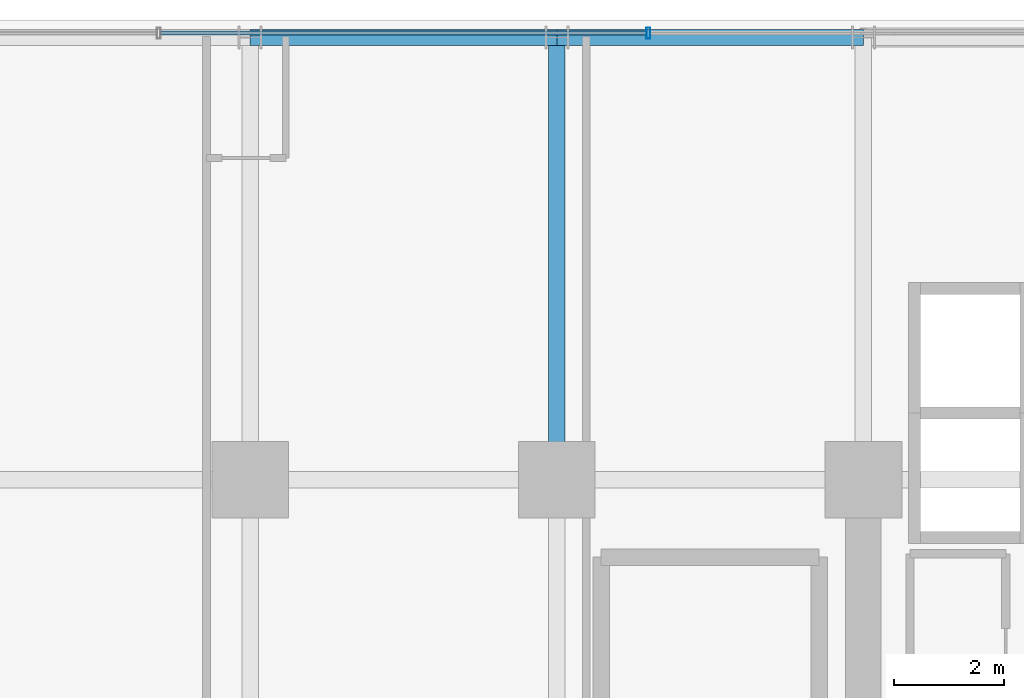
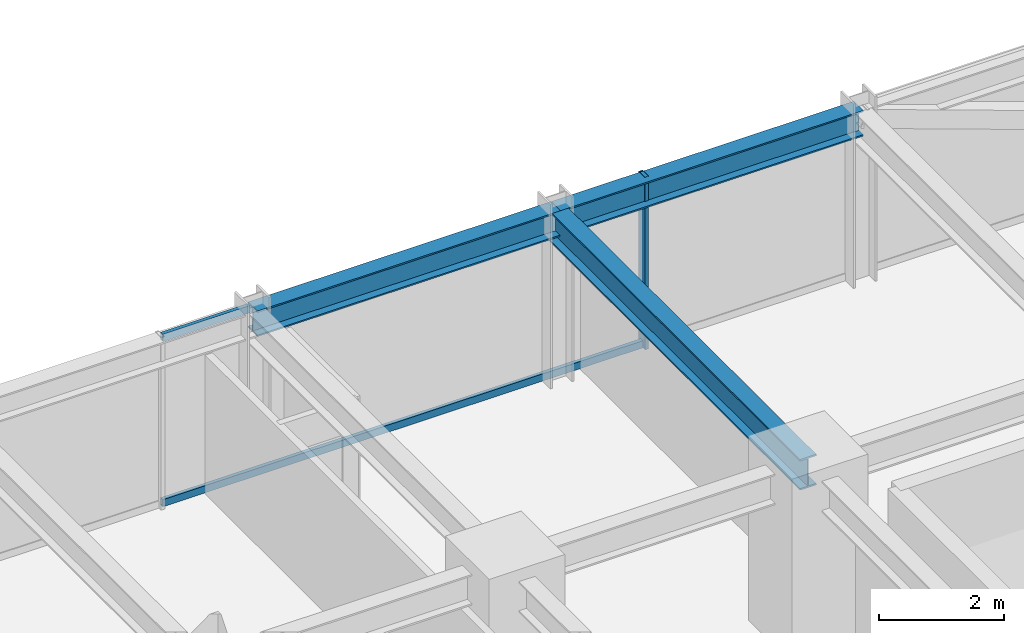
# One storey, part 27 of 43: 3 beams, 3 members, 1 element without a shape of its own.
"""IFC4 building model written with IfcOpenShell, lengths in metres."""

from ifc_helpers import new_model, si_unit, direction, frame, origin, origin_2d, place, context, subcontext, project, spatial, hollow_rectangle, i_section, extrude, source, transform, mapped, material, material_profile, profile_set, type_object, element, aggregate, save


model = new_model("IFC4")

# Units and contexts
model_context = context("Model", 3, precision=1e-05, world=origin(), true_north=direction((0.0, 1.0)))
body_context = subcontext(model_context, "Body", "Model", "MODEL_VIEW")
ifc_project = project(units=[si_unit("LENGTHUNIT", "METRE"), si_unit("AREAUNIT", "SQUARE_METRE"), si_unit("VOLUMEUNIT", "CUBIC_METRE"), si_unit("PLANEANGLEUNIT", "RADIAN"), si_unit("MASSUNIT", "GRAM", prefix="KILO")], contexts=[model_context])

# Site, building, storey
site_placement = place(None, origin())
site = spatial("IfcSite", under=ifc_project, at=site_placement, CompositionType="ELEMENT")
building_placement = place(site_placement, origin())
building = spatial("IfcBuilding", under=site, at=building_placement, Name="Nahalor Promenade Grand Hotel", CompositionType="ELEMENT")
storey_placement = place(building_placement, frame((0.0, 0.0, 57.949951171875)))
storey = spatial("IfcBuildingStorey", under=building, at=storey_placement, Name="L13", CompositionType="ELEMENT", Elevation=57.949951171875)

# Beams
ifc_material_1 = material(Name="Steel S355JR", Category="steel")
ifc_material_profile_1 = material_profile(ifc_material_1, i_section(OverallWidth=0.3, OverallDepth=0.5, WebThickness=0.0145, FlangeThickness=0.028, at=origin_2d()), Name="HEB 500")
ifc_profile_set_1 = profile_set([ifc_material_profile_1], Name="Steel S355JR")
beam_type_1 = type_object("IfcBeamType", Name="Beam-Spandrel-HEB500", PredefinedType="SPANDREL", material=ifc_profile_set_1)
shared_shape_1 = source(origin(), body_context, "Body", "SweptSolid", [
    extrude(i_section(OverallWidth=0.3, OverallDepth=0.5, WebThickness=0.0145, FlangeThickness=0.028, at=origin_2d()), origin(), (0.0, 0.0, 1.0), 5.599853515625),
])
beam_1_placement = place(storey_placement, frame((2.800048828125, 25.080078125, 3.1201171875), z_axis=(1.0, 0.0, 0.0), x_axis=(0.0, 1.0, 0.0)))
element("IfcBeam", 1, at=beam_1_placement, inside=storey, type_object=beam_type_1, Name="BM-L13-SP-N-3", PredefinedType="SPANDREL", context=body_context, shape_type="MappedRepresentation", body=[
    mapped(shared_shape_1, transform((0.0, 0.0, 0.0), scale=1.0)),
])
shared_shape_2 = source(origin(), body_context, "Body", "SweptSolid", [
    extrude(i_section(OverallWidth=0.3, OverallDepth=0.5, WebThickness=0.0145, FlangeThickness=0.028, at=origin_2d()), origin(), (0.0, 0.0, 1.0), 5.60009765625),
])
beam_2_placement = place(storey_placement, frame((-2.800048828125, 25.080078125, 3.1201171875), z_axis=(1.0, 0.0, 0.0), x_axis=(0.0, 1.0, 0.0)))
element("IfcBeam", 2, at=beam_2_placement, inside=storey, type_object=beam_type_1, Name="BM-L13-SP-N-2", PredefinedType="SPANDREL", context=body_context, shape_type="MappedRepresentation", body=[
    mapped(shared_shape_2, transform((0.0, 0.0, 0.0), scale=1.0)),
])
ifc_material_profile_2 = material_profile(ifc_material_1, i_section(OverallWidth=0.3, OverallDepth=0.6, WebThickness=0.0155, FlangeThickness=0.03, at=origin_2d()), Name="HEB 600")
ifc_profile_set_2 = profile_set([ifc_material_profile_2], Name="Steel S355JR")
beam_type_2 = type_object("IfcBeamType", Name="Beam-Girder-HEB600", PredefinedType="BEAM", material=ifc_profile_set_2)
shared_shape_3 = source(origin(), body_context, "Body", "SweptSolid", [
    extrude(i_section(OverallWidth=0.3, OverallDepth=0.6, WebThickness=0.0155, FlangeThickness=0.03, at=origin_2d()), origin(), (0.0, 0.0, 1.0), 8.080078125),
])
beam_3_placement = place(storey_placement, frame((2.800048828125, 17.0, 3.070068359375), z_axis=(0.0, 1.0, 0.0), x_axis=(-1.0, 0.0, 0.0)))
element("IfcBeam", 3, at=beam_3_placement, inside=storey, type_object=beam_type_2, Name="BM-L13-GY-3-4", PredefinedType="BEAM", context=body_context, shape_type="MappedRepresentation", body=[
    mapped(shared_shape_3, transform((0.0, 0.0, 0.0), scale=1.0)),
])

# Curtain wall, members
ifc_material_2 = material(Name="Anodised Bronze Aluminium EN AW-6063 T6", Category="aluminium")
curtain_wall_type = type_object("IfcCurtainWallType", Name="CW3 Elliptical-Void Collar Unitised Curtain Wall", PredefinedType="USERDEFINED", material=ifc_material_2)
curtain_wall_placement = place(storey_placement, origin())
curtain_wall = element("IfcCurtainWall", 4, at=curtain_wall_placement, inside=storey, type_object=curtain_wall_type, Name="L13 Curtain Wall CW-L13-N-1", ObjectType="UNITISED_CURTAIN_WALL", PredefinedType="USERDEFINED")
ifc_material_profile_3 = material_profile(ifc_material_2, hollow_rectangle(XDim=0.07, YDim=0.14, WallThickness=0.004, at=origin_2d()), Name="CWT 70x140x4")
ifc_profile_set_3 = profile_set([ifc_material_profile_3], Name="Anodised Bronze Aluminium EN AW-6063 T6")
member_type_1 = type_object("IfcMemberType", Name="CWT3 Void Collar Transom 70x140", PredefinedType="USERDEFINED", material=ifc_profile_set_3)
shared_shape_4 = source(origin(), body_context, "Body", "SweptSolid", [
    extrude(hollow_rectangle(XDim=0.07, YDim=0.14, WallThickness=0.004, at=origin_2d()), origin(), (0.0, 0.0, 1.0), 8.8740234375),
])
member_1_placement = place(storey_placement, frame((-4.43701171875, 25.159912109375, 0.070068359375), z_axis=(1.0, 0.0, 0.0), x_axis=(0.0, 1.0, 0.0)))
member_1 = element("IfcMember", 5, at=member_1_placement, type_object=member_type_1, Name="CW-L13-N-1 Transom 2-0", ObjectType="TRANSOM", PredefinedType="USERDEFINED", context=body_context, shape_type="MappedRepresentation", body=[
    mapped(shared_shape_4, transform((0.0, 0.0, 0.0), scale=1.0)),
])
member_2_placement = place(storey_placement, frame((-4.43701171875, 25.159912109375, 3.300048828125), z_axis=(1.0, 0.0, 0.0), x_axis=(0.0, 1.0, 0.0)))
member_2 = element("IfcMember", 6, at=member_2_placement, type_object=member_type_1, Name="CW-L13-N-1 Transom 2-1", ObjectType="TRANSOM", PredefinedType="USERDEFINED", context=body_context, shape_type="MappedRepresentation", body=[
    mapped(shared_shape_4, transform((0.0, 0.0, 0.0), scale=1.0)),
])
ifc_material_profile_4 = material_profile(ifc_material_2, hollow_rectangle(XDim=0.07, YDim=0.2, WallThickness=0.005, at=origin_2d()), Name="CWM 70x200x5")
ifc_profile_set_4 = profile_set([ifc_material_profile_4], Name="Anodised Bronze Aluminium EN AW-6063 T6")
member_type_2 = type_object("IfcMemberType", Name="CWM3 Void Collar Mullion 70x200", PredefinedType="MULLION", material=ifc_profile_set_4)
shared_shape_5 = source(origin(), body_context, "Body", "SweptSolid", [
    extrude(hollow_rectangle(XDim=0.07, YDim=0.2, WallThickness=0.005, at=origin_2d()), origin(), (0.0, 0.0, 1.0), 3.3701171875),
])
member_3_placement = place(storey_placement, frame((4.471923828125, 25.159912109375, 0.0), z_axis=(0.0, 0.0, 1.0), x_axis=(1.0, 0.0, 0.0)))
member_3 = element("IfcMember", 7, at=member_3_placement, type_object=member_type_2, Name="CW-L13-N-1 Mullion 3", PredefinedType="MULLION", context=body_context, shape_type="MappedRepresentation", body=[
    mapped(shared_shape_5, transform((0.0, 0.0, 0.0), scale=1.0)),
])
aggregate(curtain_wall, [member_3, member_1, member_2])

save(model, "model.ifc")
